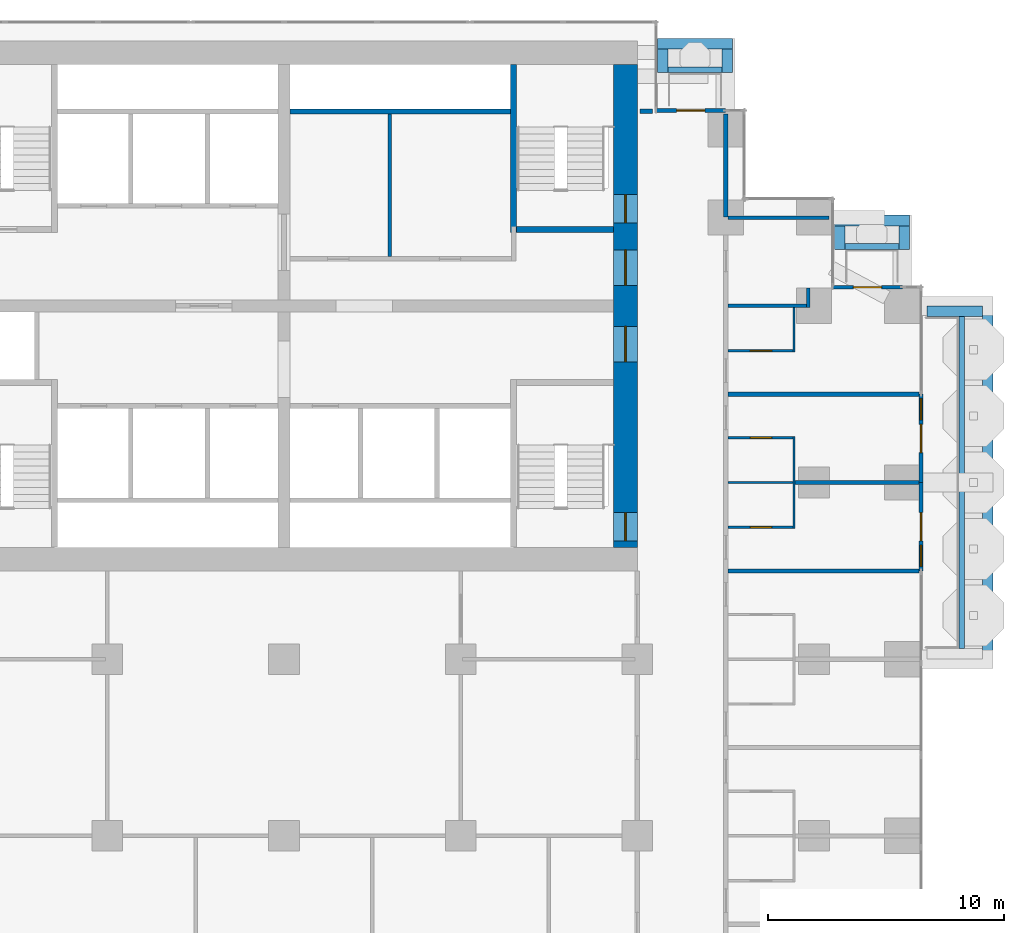
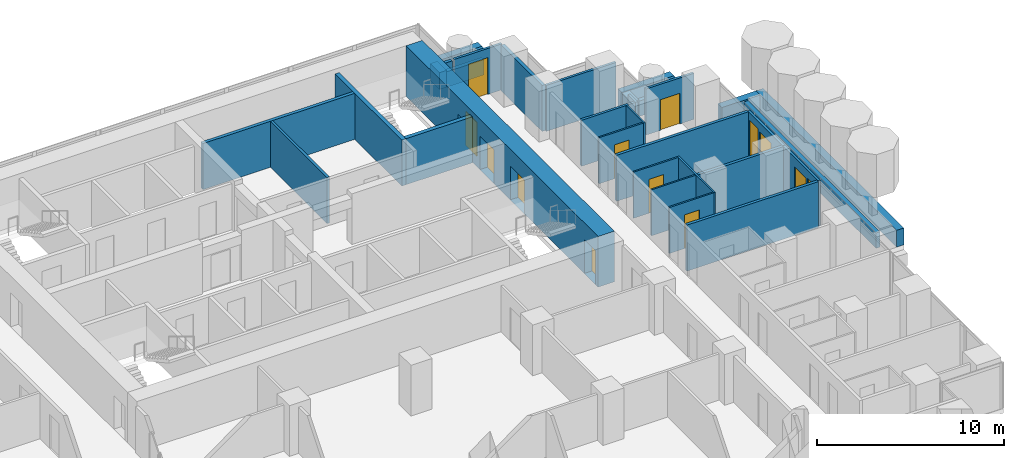
# One storey, part 16 of 20: 34 walls, 11 doors, 2 windows, 13 openings.
"""IFC4 building model written with IfcOpenShell, lengths in metres."""

from ifc_helpers import new_model, si_unit, direction, frame, frame_2d, origin, place, context, subcontext, project, spatial, rectangle, extrude, material, layer, layer_set, type_object, element, fill, save


model = new_model("IFC4")

# Units and contexts
model_context = context("Model", 3, precision=1e-05, world=origin(), true_north=direction((0.0, 1.0)))
body_context = subcontext(model_context, "Body", "Model", "MODEL_VIEW")
ifc_project = project(units=[si_unit("LENGTHUNIT", "METRE"), si_unit("AREAUNIT", "SQUARE_METRE"), si_unit("VOLUMEUNIT", "CUBIC_METRE"), si_unit("PLANEANGLEUNIT", "RADIAN"), si_unit("MASSUNIT", "GRAM", prefix="KILO")], contexts=[model_context])

# Site, building, storey
site_placement = place(None, origin())
site = spatial("IfcSite", under=ifc_project, at=site_placement, CompositionType="ELEMENT")
building_placement = place(site_placement, origin())
building = spatial("IfcBuilding", under=site, at=building_placement, Name="Pilkhan Gate Tower", CompositionType="ELEMENT")
storey_placement = place(building_placement, frame((0.0, 0.0, 92.300048828125)))
storey = spatial("IfcBuildingStorey", under=building, at=storey_placement, Name="L22", CompositionType="ELEMENT", Elevation=92.300048828125)

# Walls
ifc_material_1 = material(Name="Dense blockwork", Category="masonry")
ifc_layer_1 = layer(ifc_material_1, 0.175048828125)
ifc_layer_set_1 = layer_set([ifc_layer_1], Name="Acoustic party wall PW175")
wall_type_1 = type_object("IfcWallType", Name="Acoustic party wall PW175", PredefinedType="PARTITIONING", material=ifc_layer_set_1)
wall_1_placement = place(storey_placement, frame((93.85009765625, 71.25, 0.0), z_axis=(0.0, 0.0, 1.0), x_axis=(1.0, 0.0, 0.0)))
element("IfcWall", 1, at=wall_1_placement, inside=storey, type_object=wall_type_1, Name="Partition L22", PredefinedType="PARTITIONING", context=body_context, shape_type="SweptSolid", body=[
    extrude(rectangle(XDim=8.10986328125, YDim=0.175048828125, at=frame_2d((4.054931640625, 0.0))), origin(), (0.0, 0.0, 1.0), 3.0),
])
wall_2_placement = place(storey_placement, frame((96.699951171875, 75.0, 0.0), z_axis=(0.0, 0.0, 1.0), x_axis=(1.0, 0.0, 0.0)))
element("IfcWall", 2, at=wall_2_placement, inside=storey, type_object=wall_type_1, Name="Partition L22", PredefinedType="PARTITIONING", context=body_context, shape_type="SweptSolid", body=[
    extrude(rectangle(XDim=5.260009765625, YDim=0.175048828125, at=frame_2d((2.6298828125, 0.0))), origin(), (0.0, 0.0, 1.0), 3.0),
])
wall_3_placement = place(storey_placement, frame((93.85009765625, 78.75, 0.0), z_axis=(0.0, 0.0, 1.0), x_axis=(1.0, 0.0, 0.0)))
element("IfcWall", 3, at=wall_3_placement, inside=storey, type_object=wall_type_1, Name="Partition L22", PredefinedType="PARTITIONING", context=body_context, shape_type="SweptSolid", body=[
    extrude(rectangle(XDim=8.10986328125, YDim=0.175048828125, at=frame_2d((4.054931640625, 0.0))), origin(), (0.0, 0.0, 1.0), 3.0),
])
ifc_material_2 = material(Name="Concrete C40/50", Category="concrete")
ifc_layer_2 = layer(ifc_material_2, 0.25)
ifc_layer_set_2 = layer_set([ifc_layer_2], Name="Balcony planter BP250")
wall_type_2 = type_object("IfcWallType", Name="Balcony planter BP250", PredefinedType="USERDEFINED", material=ifc_layer_set_2)
wall_4_placement = place(storey_placement, frame((103.77490234375, 67.949951171875, 0.0), z_axis=(0.0, 0.0, 1.0), x_axis=(0.0, 1.0, 0.0)))
element("IfcWall", 4, at=wall_4_placement, inside=storey, type_object=wall_type_2, Name="Balcony planter L22 E", ObjectType="BALCONY PLANTER", PredefinedType="USERDEFINED", context=body_context, shape_type="SweptSolid", body=[
    extrude(rectangle(XDim=14.10009765625, YDim=0.25, at=frame_2d((7.050048828125, 0.0))), origin(), (0.0, 0.0, 1.0), 1.0),
])
wall_5_placement = place(storey_placement, frame((91.300048828125, 92.52490234375, 0.0), z_axis=(0.0, 0.0, 1.0), x_axis=(1.0, 0.0, 0.0)))
element("IfcWall", 5, at=wall_5_placement, inside=storey, type_object=wall_type_2, Name="Balcony planter L22 N", ObjectType="BALCONY PLANTER", PredefinedType="USERDEFINED", context=body_context, shape_type="SweptSolid", body=[
    extrude(rectangle(XDim=2.300048828125, YDim=0.25, at=frame_2d((1.14990234375, 0.0))), origin(), (0.0, 0.0, 1.0), 1.0),
])
wall_6_placement = place(storey_placement, frame((98.820068359375, 85.02490234375, 0.0), z_axis=(0.0, 0.0, 1.0), x_axis=(1.0, 0.0, 0.0)))
element("IfcWall", 6, at=wall_6_placement, inside=storey, type_object=wall_type_2, Name="Balcony planter L22 N", ObjectType="BALCONY PLANTER", PredefinedType="USERDEFINED", context=body_context, shape_type="SweptSolid", body=[
    extrude(rectangle(XDim=2.280029296875, YDim=0.25, at=frame_2d((1.14013671875, 0.0))), origin(), (0.0, 0.0, 1.0), 1.0),
])
ifc_material_3 = material(Name="Board-marked Concrete C40/50", Category="concrete")
ifc_layer_3 = layer(ifc_material_3, 0.449951171875)
ifc_layer_set_3 = layer_set([ifc_layer_3], Name="Balcony planter lip BL450")
wall_type_3 = type_object("IfcWallType", Name="Balcony planter lip BL450", PredefinedType="USERDEFINED", material=ifc_layer_set_3)
wall_7_placement = place(storey_placement, frame((104.875, 67.5, 0.0), z_axis=(0.0, 0.0, 1.0), x_axis=(0.0, 1.0, 0.0)))
element("IfcWall", 7, at=wall_7_placement, inside=storey, type_object=wall_type_3, Name="Balcony planter L22 E", ObjectType="BALCONY PLANTER", PredefinedType="USERDEFINED", context=body_context, shape_type="SweptSolid", body=[
    extrude(rectangle(XDim=15.0, YDim=0.449951171875, at=frame_2d((7.5, 0.0))), origin(), (0.0, 0.0, 1.0), 1.099853515625),
])
wall_8_placement = place(storey_placement, frame((102.300048828125, 82.27490234375, 0.0), z_axis=(0.0, 0.0, 1.0), x_axis=(1.0, 0.0, 0.0)))
element("IfcWall", 8, at=wall_8_placement, inside=storey, type_object=wall_type_3, Name="Balcony planter L22 E", ObjectType="BALCONY PLANTER", PredefinedType="USERDEFINED", context=body_context, shape_type="SweptSolid", body=[
    extrude(rectangle(XDim=2.349853515625, YDim=0.449951171875, at=frame_2d((1.1748046875, 0.0))), origin(), (0.0, 0.0, 1.0), 1.099853515625),
])
wall_9_placement = place(storey_placement, frame((90.85009765625, 93.625, 0.0), z_axis=(0.0, 0.0, 1.0), x_axis=(1.0, 0.0, 0.0)))
element("IfcWall", 9, at=wall_9_placement, inside=storey, type_object=wall_type_3, Name="Balcony planter L22 N", ObjectType="BALCONY PLANTER", PredefinedType="USERDEFINED", context=body_context, shape_type="SweptSolid", body=[
    extrude(rectangle(XDim=3.199951171875, YDim=0.449951171875, at=frame_2d((1.60009765625, 0.0))), origin(), (0.0, 0.0, 1.0), 1.099853515625),
])
for number, where, z_axis, x_axis, name in (
    (10, (91.074951171875, 92.39990234375, 0.0), (0.0, 0.0, 1.0), (0.0, 1.0, 0.0), "Balcony planter L22 N"),
    (11, (93.824951171875, 92.39990234375, 0.0), (0.0, 0.0, 1.0), (0.0, 1.0, 0.0), "Balcony planter L22 N"),
):
    element("IfcWall", number, at=place(storey_placement, frame(where, z_axis=z_axis, x_axis=x_axis)), inside=storey, type_object=wall_type_3, Name=name, ObjectType="BALCONY PLANTER", PredefinedType="USERDEFINED", context=body_context, shape_type="SweptSolid", body=[
        extrude(rectangle(XDim=1.0, YDim=0.449951171875, at=frame_2d((0.5, 0.0))), origin(), (0.0, 0.0, 1.0), 1.099853515625),
    ])
wall_10_placement = place(storey_placement, frame((98.3701171875, 86.125, 0.0), z_axis=(0.0, 0.0, 1.0), x_axis=(1.0, 0.0, 0.0)))
element("IfcWall", 12, at=wall_10_placement, inside=storey, type_object=wall_type_3, Name="Balcony planter L22 N", ObjectType="BALCONY PLANTER", PredefinedType="USERDEFINED", context=body_context, shape_type="SweptSolid", body=[
    extrude(rectangle(XDim=3.179931640625, YDim=0.449951171875, at=frame_2d((1.58984375, 0.0))), origin(), (0.0, 0.0, 1.0), 1.099853515625),
])
for number, where, z_axis, x_axis, name in (
    (13, (98.594970703125, 84.89990234375, 0.0), (0.0, 0.0, 1.0), (0.0, 1.0, 0.0), "Balcony planter L22 N"),
    (14, (101.324951171875, 84.89990234375, 0.0), (0.0, 0.0, 1.0), (0.0, 1.0, 0.0), "Balcony planter L22 N"),
):
    element("IfcWall", number, at=place(storey_placement, frame(where, z_axis=z_axis, x_axis=x_axis)), inside=storey, type_object=wall_type_3, Name=name, ObjectType="BALCONY PLANTER", PredefinedType="USERDEFINED", context=body_context, shape_type="SweptSolid", body=[
        extrude(rectangle(XDim=1.0, YDim=0.449951171875, at=frame_2d((0.5, 0.0))), origin(), (0.0, 0.0, 1.0), 1.099853515625),
    ])

# Wall, openings, doors
ifc_material_4 = material(Name="Concrete C70/85", Category="concrete")
ifc_layer_4 = layer(ifc_material_4, 1.0)
ifc_layer_set_4 = layer_set([ifc_layer_4], Name="Core wall CW1000 C70/85")
wall_type_4 = type_object("IfcWallType", Name="Core wall CW1000 C70/85", PredefinedType="SHEAR", material=ifc_layer_set_4)
wall_11_placement = place(storey_placement, frame((89.5, 72.25, 0.0), z_axis=(0.0, 0.0, 1.0), x_axis=(0.0, 1.0, 0.0)))
wall_11 = element("IfcWall", 15, at=wall_11_placement, inside=storey, type_object=wall_type_4, Name="Core wall E L22", PredefinedType="SHEAR", context=body_context, shape_type="SweptSolid", body=[
    extrude(rectangle(XDim=20.5, YDim=1.0, at=frame_2d((10.25, 0.0))), origin(), (0.0, 0.0, 1.0), 3.300048828125),
])
opening_1_placement = place(wall_11_placement, frame((0.27490234375, 0.0, 0.0)))
opening_1 = element("IfcOpeningElement", 16, at=opening_1_placement, cuts=wall_11, Name="Opening L22-03", PredefinedType="OPENING", context=body_context, shape_type="SweptSolid", body=[
    extrude(rectangle(XDim=1.199951171875, YDim=2.199951171875, at=frame_2d((0.60009765625, 1.10009765625))), frame((0.0, 0.510009765625, 0.0), z_axis=(0.0, -1.0, 0.0), x_axis=(1.0, 0.0, 0.0)), (0.0, 0.0, 1.0), 1.02001953125),
])
opening_2_placement = place(wall_11_placement, frame((13.77490234375, 0.0, 0.0)))
opening_2 = element("IfcOpeningElement", 17, at=opening_2_placement, cuts=wall_11, Name="Opening L22-05", PredefinedType="OPENING", context=body_context, shape_type="SweptSolid", body=[
    extrude(rectangle(XDim=1.199951171875, YDim=2.199951171875, at=frame_2d((0.60009765625, 1.10009765625))), frame((0.0, 0.510009765625, 0.0), z_axis=(0.0, -1.0, 0.0), x_axis=(1.0, 0.0, 0.0)), (0.0, 0.0, 1.0), 1.02001953125),
])
opening_3_placement = place(wall_11_placement, frame((7.875, 0.0, 0.0)))
opening_3 = element("IfcOpeningElement", 18, at=opening_3_placement, cuts=wall_11, Name="Opening L22-52", PredefinedType="OPENING", context=body_context, shape_type="SweptSolid", body=[
    extrude(rectangle(XDim=1.5, YDim=2.199951171875, at=frame_2d((0.75, 1.10009765625))), frame((0.0, 0.510009765625, 0.0), z_axis=(0.0, -1.0, 0.0), x_axis=(1.0, 0.0, 0.0)), (0.0, 0.0, 1.0), 1.02001953125),
])
opening_4_placement = place(wall_11_placement, frame((11.125, 0.0, 0.0)))
opening_4 = element("IfcOpeningElement", 19, at=opening_4_placement, cuts=wall_11, Name="Opening L22-54", PredefinedType="OPENING", context=body_context, shape_type="SweptSolid", body=[
    extrude(rectangle(XDim=1.5, YDim=2.199951171875, at=frame_2d((0.75, 1.10009765625))), frame((0.0, 0.510009765625, 0.0), z_axis=(0.0, -1.0, 0.0), x_axis=(1.0, 0.0, 0.0)), (0.0, 0.0, 1.0), 1.02001953125),
])
ifc_material_5 = material(Name="Steel framed glazed door, 60 minute fire resisting", Category="steel")
door_type_1 = type_object("IfcDoorType", Name="Lobby door D09 1500x2200", OperationType="DOUBLE_DOOR_SINGLE_SWING", PredefinedType="DOOR", material=ifc_material_5)
door_1_placement = place(opening_3_placement, origin())
door_1 = element("IfcDoor", 20, at=door_1_placement, inside=storey, type_object=door_type_1, Name="Core door", OperationType="DOUBLE_DOOR_SINGLE_SWING", OverallHeight=2.199951171875, OverallWidth=1.5, PredefinedType="DOOR", context=body_context, shape_type="SweptSolid", body=[
    extrude(rectangle(XDim=1.5, YDim=2.199951171875, at=frame_2d((0.75, 1.10009765625))), frame((0.0, 0.02490234375, 0.0), z_axis=(0.0, -1.0, 0.0), x_axis=(1.0, 0.0, 0.0)), (0.0, 0.0, 1.0), 0.050048828125),
])
fill(opening_3, door_1)
door_2_placement = place(opening_4_placement, origin())
door_2 = element("IfcDoor", 21, at=door_2_placement, inside=storey, type_object=door_type_1, Name="Core door", OperationType="DOUBLE_DOOR_SINGLE_SWING", OverallHeight=2.199951171875, OverallWidth=1.5, PredefinedType="DOOR", context=body_context, shape_type="SweptSolid", body=[
    extrude(rectangle(XDim=1.5, YDim=2.199951171875, at=frame_2d((0.75, 1.10009765625))), frame((0.0, 0.02490234375, 0.0), z_axis=(0.0, -1.0, 0.0), x_axis=(1.0, 0.0, 0.0)), (0.0, 0.0, 1.0), 0.050048828125),
])
fill(opening_4, door_2)
ifc_material_6 = material(Name="Steel door, 120 minute fire resisting, panic bar", Category="steel")
door_type_2 = type_object("IfcDoorType", Name="Stair door D11 1200x2200", OperationType="SINGLE_SWING_LEFT", PredefinedType="DOOR", material=ifc_material_6)
door_3_placement = place(opening_1_placement, origin())
door_3 = element("IfcDoor", 22, at=door_3_placement, inside=storey, type_object=door_type_2, Name="Stair ST1 door", OperationType="SINGLE_SWING_LEFT", OverallHeight=2.199951171875, OverallWidth=1.199951171875, PredefinedType="DOOR", context=body_context, shape_type="SweptSolid", body=[
    extrude(rectangle(XDim=1.199951171875, YDim=2.199951171875, at=frame_2d((0.60009765625, 1.10009765625))), frame((0.0, 0.02490234375, 0.0), z_axis=(0.0, -1.0, 0.0), x_axis=(1.0, 0.0, 0.0)), (0.0, 0.0, 1.0), 0.050048828125),
])
fill(opening_1, door_3)
door_4_placement = place(opening_2_placement, origin())
door_4 = element("IfcDoor", 23, at=door_4_placement, inside=storey, type_object=door_type_2, Name="Stair ST4 door", OperationType="SINGLE_SWING_LEFT", OverallHeight=2.199951171875, OverallWidth=1.199951171875, PredefinedType="DOOR", context=body_context, shape_type="SweptSolid", body=[
    extrude(rectangle(XDim=1.199951171875, YDim=2.199951171875, at=frame_2d((0.60009765625, 1.10009765625))), frame((0.0, 0.02490234375, 0.0), z_axis=(0.0, -1.0, 0.0), x_axis=(1.0, 0.0, 0.0)), (0.0, 0.0, 1.0), 0.050048828125),
])
fill(opening_2, door_4)

# Walls
ifc_layer_5 = layer(ifc_material_1, 0.199951171875)
ifc_layer_set_5 = layer_set([ifc_layer_5], Name="Corridor wall FW200")
wall_type_5 = type_object("IfcWallType", Name="Corridor wall FW200", PredefinedType="PARTITIONING", material=ifc_layer_set_5)
wall_12_placement = place(storey_placement, frame((90.1201171875, 90.764892578125, 0.0), z_axis=(0.0, 0.0, 1.0), x_axis=(1.0, 0.0, 0.0)))
element("IfcWall", 24, at=wall_12_placement, inside=storey, type_object=wall_type_5, Name="Partition L22", PredefinedType="PARTITIONING", context=body_context, shape_type="SweptSolid", body=[
    extrude(rectangle(XDim=0.52490234375, YDim=0.199951171875, at=frame_2d((0.262451171875, 0.0))), origin(), (0.0, 0.0, 1.0), 3.0),
])
wall_13_placement = place(storey_placement, frame((93.75, 86.280029296875, 0.0), z_axis=(0.0, 0.0, 1.0), x_axis=(0.0, 1.0, 0.0)))
element("IfcWall", 25, at=wall_13_placement, inside=storey, type_object=wall_type_5, Name="Partition L22", PredefinedType="PARTITIONING", context=body_context, shape_type="SweptSolid", body=[
    extrude(rectangle(XDim=4.364990234375, YDim=0.199951171875, at=frame_2d((2.1826171875, 0.0))), origin(), (0.0, 0.0, 1.0), 3.0),
])

# Wall, openings, door, window
ifc_material_7 = material(Name="Pale anodised aluminium, clear laminated glazing", Category="aluminium")
ifc_layer_6 = layer(ifc_material_7, 0.14990234375)
ifc_layer_set_6 = layer_set([ifc_layer_6], Name="Facade infill wall IW150")
wall_type_6 = type_object("IfcWallType", Name="Facade infill wall IW150", PredefinedType="SOLIDWALL", material=ifc_layer_set_6)
wall_14_placement = place(storey_placement, frame((102.044921875, 71.25, 0.0), z_axis=(0.0, 0.0, 1.0), x_axis=(0.0, 1.0, 0.0)))
wall_14 = element("IfcWall", 26, at=wall_14_placement, inside=storey, type_object=wall_type_6, Name="Infill wall L22 E", PredefinedType="SOLIDWALL", context=body_context, shape_type="SweptSolid", body=[
    extrude(rectangle(XDim=3.75, YDim=0.14990234375, at=frame_2d((1.875, 0.0))), origin(), (0.0, 0.0, 1.0), 3.0),
])
opening_5_placement = place(wall_14_placement, frame((0.1875, 0.0, 0.10009765625)))
opening_5 = element("IfcOpeningElement", 27, at=opening_5_placement, cuts=wall_14, Name="Opening W1", PredefinedType="OPENING", context=body_context, shape_type="SweptSolid", body=[
    extrude(rectangle(XDim=0.89990234375, YDim=2.39990234375, at=frame_2d((0.449951171875, 1.199951171875))), frame((0.0, 0.0849609375, 0.0), z_axis=(0.0, -1.0, 0.0), x_axis=(1.0, 0.0, 0.0)), (0.0, 0.0, 1.0), 0.169921875),
])
opening_6_placement = place(wall_14_placement, frame((1.27490234375, 0.0, 0.0)))
opening_6 = element("IfcOpeningElement", 28, at=opening_6_placement, cuts=wall_14, Name="Opening D1", PredefinedType="OPENING", context=body_context, shape_type="SweptSolid", body=[
    extrude(rectangle(XDim=1.199951171875, YDim=2.39990234375, at=frame_2d((0.60009765625, 1.199951171875))), frame((0.0, 0.0849609375, 0.0), z_axis=(0.0, -1.0, 0.0), x_axis=(1.0, 0.0, 0.0)), (0.0, 0.0, 1.0), 0.169921875),
])
ifc_material_8 = material(Name="Pale anodised aluminium, clear glazing", Category="aluminium")
door_type_3 = type_object("IfcDoorType", Name="Balcony door D1 1200x2400", OperationType="SINGLE_SWING_LEFT", PredefinedType="DOOR", material=ifc_material_8)
door_5_placement = place(opening_6_placement, origin())
door_5 = element("IfcDoor", 29, at=door_5_placement, inside=storey, type_object=door_type_3, Name="Balcony door L22", OperationType="SINGLE_SWING_LEFT", OverallHeight=2.39990234375, OverallWidth=1.199951171875, PredefinedType="DOOR", context=body_context, shape_type="SweptSolid", body=[
    extrude(rectangle(XDim=1.199951171875, YDim=2.39990234375, at=frame_2d((0.60009765625, 1.199951171875))), frame((0.0, 0.02490234375, 0.0), z_axis=(0.0, -1.0, 0.0), x_axis=(1.0, 0.0, 0.0)), (0.0, 0.0, 1.0), 0.050048828125),
])
fill(opening_6, door_5)
ifc_material_9 = material(Name="Pale anodised aluminium, clear double glazing", Category="aluminium")
window_type = type_object("IfcWindowType", Name="Window W1 900x2400", PartitioningType="SINGLE_PANEL", PredefinedType="WINDOW", material=ifc_material_9)
window_1_placement = place(opening_5_placement, origin())
window_1 = element("IfcWindow", 30, at=window_1_placement, inside=storey, type_object=window_type, Name="Window L22", OverallHeight=2.39990234375, OverallWidth=0.89990234375, PartitioningType="SINGLE_PANEL", PredefinedType="WINDOW", context=body_context, shape_type="SweptSolid", body=[
    extrude(rectangle(XDim=0.89990234375, YDim=2.39990234375, at=frame_2d((0.449951171875, 1.199951171875))), frame((0.0, 0.030029296875, 0.0), z_axis=(0.0, -1.0, 0.0), x_axis=(1.0, 0.0, 0.0)), (0.0, 0.0, 1.0), 0.06005859375),
])
fill(opening_5, window_1)

wall_15_placement = place(storey_placement, frame((102.044921875, 75.0, 0.0), z_axis=(0.0, 0.0, 1.0), x_axis=(0.0, 1.0, 0.0)))
wall_15 = element("IfcWall", 31, at=wall_15_placement, inside=storey, type_object=wall_type_6, Name="Infill wall L22 E", PredefinedType="SOLIDWALL", context=body_context, shape_type="SweptSolid", body=[
    extrude(rectangle(XDim=3.75, YDim=0.14990234375, at=frame_2d((1.875, 0.0))), origin(), (0.0, 0.0, 1.0), 3.0),
])
opening_7_placement = place(wall_15_placement, frame((1.27490234375, 0.0, 0.0)))
opening_7 = element("IfcOpeningElement", 32, at=opening_7_placement, cuts=wall_15, Name="Opening D1", PredefinedType="OPENING", context=body_context, shape_type="SweptSolid", body=[
    extrude(rectangle(XDim=1.199951171875, YDim=2.39990234375, at=frame_2d((0.60009765625, 1.199951171875))), frame((0.0, 0.0849609375, 0.0), z_axis=(0.0, -1.0, 0.0), x_axis=(1.0, 0.0, 0.0)), (0.0, 0.0, 1.0), 0.169921875),
])
opening_8_placement = place(wall_15_placement, frame((2.66259765625, 0.0, 0.10009765625)))
opening_8 = element("IfcOpeningElement", 33, at=opening_8_placement, cuts=wall_15, Name="Opening W1", PredefinedType="OPENING", context=body_context, shape_type="SweptSolid", body=[
    extrude(rectangle(XDim=0.89990234375, YDim=2.39990234375, at=frame_2d((0.449951171875, 1.199951171875))), frame((0.0, 0.0849609375, 0.0), z_axis=(0.0, -1.0, 0.0), x_axis=(1.0, 0.0, 0.0)), (0.0, 0.0, 1.0), 0.169921875),
])
door_6_placement = place(opening_7_placement, origin())
door_6 = element("IfcDoor", 34, at=door_6_placement, inside=storey, type_object=door_type_3, Name="Balcony door L22", OperationType="SINGLE_SWING_LEFT", OverallHeight=2.39990234375, OverallWidth=1.199951171875, PredefinedType="DOOR", context=body_context, shape_type="SweptSolid", body=[
    extrude(rectangle(XDim=1.199951171875, YDim=2.39990234375, at=frame_2d((0.60009765625, 1.199951171875))), frame((0.0, 0.02490234375, 0.0), z_axis=(0.0, -1.0, 0.0), x_axis=(1.0, 0.0, 0.0)), (0.0, 0.0, 1.0), 0.050048828125),
])
fill(opening_7, door_6)
window_2_placement = place(opening_8_placement, origin())
window_2 = element("IfcWindow", 35, at=window_2_placement, inside=storey, type_object=window_type, Name="Window L22", OverallHeight=2.39990234375, OverallWidth=0.89990234375, PartitioningType="SINGLE_PANEL", PredefinedType="WINDOW", context=body_context, shape_type="SweptSolid", body=[
    extrude(rectangle(XDim=0.89990234375, YDim=2.39990234375, at=frame_2d((0.449951171875, 1.199951171875))), frame((0.0, 0.030029296875, 0.0), z_axis=(0.0, -1.0, 0.0), x_axis=(1.0, 0.0, 0.0)), (0.0, 0.0, 1.0), 0.06005859375),
])
fill(opening_8, window_2)

# Wall, opening, door
wall_16_placement = place(storey_placement, frame((98.294921875, 83.294921875, 0.0), z_axis=(0.0, 0.0, 1.0), x_axis=(1.0, 0.0, 0.0)))
wall_16 = element("IfcWall", 36, at=wall_16_placement, inside=storey, type_object=wall_type_6, Name="Infill wall L22 N", PredefinedType="SOLIDWALL", context=body_context, shape_type="SweptSolid", body=[
    extrude(rectangle(XDim=2.955078125, YDim=0.14990234375, at=frame_2d((1.4775390625, 0.0))), origin(), (0.0, 0.0, 1.0), 3.0),
])
opening_9_placement = place(wall_16_placement, frame((0.87744140625, 0.0, 0.0)))
opening_9 = element("IfcOpeningElement", 37, at=opening_9_placement, cuts=wall_16, Name="Opening D1L", PredefinedType="OPENING", context=body_context, shape_type="SweptSolid", body=[
    extrude(rectangle(XDim=1.199951171875, YDim=2.0, at=frame_2d((0.60009765625, 1.0))), frame((0.0, 0.0849609375, 0.0), z_axis=(0.0, -1.0, 0.0), x_axis=(1.0, 0.0, 0.0)), (0.0, 0.0, 1.0), 0.169921875),
])
door_type_4 = type_object("IfcDoorType", Name="Balcony door D1L 1200x2000", OperationType="SINGLE_SWING_LEFT", PredefinedType="DOOR", material=ifc_material_8)
door_7_placement = place(opening_9_placement, origin())
door_7 = element("IfcDoor", 38, at=door_7_placement, inside=storey, type_object=door_type_4, Name="Balcony door L22", OperationType="SINGLE_SWING_LEFT", OverallHeight=2.0, OverallWidth=1.199951171875, PredefinedType="DOOR", context=body_context, shape_type="SweptSolid", body=[
    extrude(rectangle(XDim=1.199951171875, YDim=2.0, at=frame_2d((0.60009765625, 1.0))), frame((0.0, 0.02490234375, 0.0), z_axis=(0.0, -1.0, 0.0), x_axis=(1.0, 0.0, 0.0)), (0.0, 0.0, 1.0), 0.050048828125),
])
fill(opening_9, door_7)

wall_17_placement = place(storey_placement, frame((90.794921875, 90.794921875, 0.0), z_axis=(0.0, 0.0, 1.0), x_axis=(1.0, 0.0, 0.0)))
wall_17 = element("IfcWall", 39, at=wall_17_placement, inside=storey, type_object=wall_type_6, Name="Infill wall L22 N", PredefinedType="SOLIDWALL", context=body_context, shape_type="SweptSolid", body=[
    extrude(rectangle(XDim=2.955078125, YDim=0.14990234375, at=frame_2d((1.4775390625, 0.0))), origin(), (0.0, 0.0, 1.0), 3.0),
])
opening_10_placement = place(wall_17_placement, frame((0.87744140625, 0.0, 0.0)))
opening_10 = element("IfcOpeningElement", 40, at=opening_10_placement, cuts=wall_17, Name="Opening D1", PredefinedType="OPENING", context=body_context, shape_type="SweptSolid", body=[
    extrude(rectangle(XDim=1.199951171875, YDim=2.39990234375, at=frame_2d((0.60009765625, 1.199951171875))), frame((0.0, 0.0849609375, 0.0), z_axis=(0.0, -1.0, 0.0), x_axis=(1.0, 0.0, 0.0)), (0.0, 0.0, 1.0), 0.169921875),
])
door_8_placement = place(opening_10_placement, origin())
door_8 = element("IfcDoor", 41, at=door_8_placement, inside=storey, type_object=door_type_3, Name="Balcony door L22", OperationType="SINGLE_SWING_LEFT", OverallHeight=2.39990234375, OverallWidth=1.199951171875, PredefinedType="DOOR", context=body_context, shape_type="SweptSolid", body=[
    extrude(rectangle(XDim=1.199951171875, YDim=2.39990234375, at=frame_2d((0.60009765625, 1.199951171875))), frame((0.0, 0.02490234375, 0.0), z_axis=(0.0, -1.0, 0.0), x_axis=(1.0, 0.0, 0.0)), (0.0, 0.0, 1.0), 0.050048828125),
])
fill(opening_10, door_8)

# Walls
ifc_layer_7 = layer(ifc_material_1, 0.199951171875)
ifc_layer_set_7 = layer_set([ifc_layer_7], Name="Lobby wall LW200")
wall_type_7 = type_object("IfcWallType", Name="Lobby wall LW200", PredefinedType="PARTITIONING", material=ifc_layer_set_7)
wall_18_placement = place(storey_placement, frame((75.260009765625, 90.75, 0.0), z_axis=(0.0, 0.0, 1.0), x_axis=(1.0, 0.0, 0.0)))
element("IfcWall", 42, at=wall_18_placement, inside=storey, type_object=wall_type_7, Name="Partition L22", PredefinedType="PARTITIONING", context=body_context, shape_type="SweptSolid", body=[
    extrude(rectangle(XDim=9.364990234375, YDim=0.199951171875, at=frame_2d((4.6826171875, 0.0))), origin(), (0.0, 0.0, 1.0), 3.0),
])
ifc_material_10 = material(Name="Blockwork partition, plastered both sides", Category="masonry")
ifc_layer_8 = layer(ifc_material_10, 0.14990234375)
ifc_layer_set_8 = layer_set([ifc_layer_8], Name="Partition PW150")
wall_type_8 = type_object("IfcWallType", Name="Partition PW150", PredefinedType="PARTITIONING", material=ifc_layer_set_8)
wall_19_placement = place(storey_placement, frame((93.85009765625, 82.5, 0.0), z_axis=(0.0, 0.0, 1.0), x_axis=(1.0, 0.0, 0.0)))
element("IfcWall", 43, at=wall_19_placement, inside=storey, type_object=wall_type_8, Name="Partition L22", PredefinedType="PARTITIONING", context=body_context, shape_type="SweptSolid", body=[
    extrude(rectangle(XDim=3.33984375, YDim=0.14990234375, at=frame_2d((1.669921875, 0.0))), origin(), (0.0, 0.0, 1.0), 3.0),
])
wall_20_placement = place(storey_placement, frame((93.85009765625, 86.25, 0.0), z_axis=(0.0, 0.0, 1.0), x_axis=(1.0, 0.0, 0.0)))
element("IfcWall", 44, at=wall_20_placement, inside=storey, type_object=wall_type_8, Name="Partition L22", PredefinedType="PARTITIONING", context=body_context, shape_type="SweptSolid", body=[
    extrude(rectangle(XDim=4.294921875, YDim=0.14990234375, at=frame_2d((2.1474609375, 0.0))), origin(), (0.0, 0.0, 1.0), 3.0),
])
wall_21_placement = place(storey_placement, frame((79.5, 84.60009765625, 0.0), z_axis=(0.0, 0.0, 1.0), x_axis=(0.0, 1.0, 0.0)))
element("IfcWall", 45, at=wall_21_placement, inside=storey, type_object=wall_type_8, Name="Partition L22", PredefinedType="PARTITIONING", context=body_context, shape_type="SweptSolid", body=[
    extrude(rectangle(XDim=6.0498046875, YDim=0.14990234375, at=frame_2d((3.02490234375, 0.0))), origin(), (0.0, 0.0, 1.0), 3.0),
])
wall_22_placement = place(storey_placement, frame((97.264892578125, 82.425048828125, 0.0), z_axis=(0.0, 0.0, 1.0), x_axis=(0.0, 1.0, 0.0)))
element("IfcWall", 46, at=wall_22_placement, inside=storey, type_object=wall_type_8, Name="Partition L22", PredefinedType="PARTITIONING", context=body_context, shape_type="SweptSolid", body=[
    extrude(rectangle(XDim=0.83984375, YDim=0.14990234375, at=frame_2d((0.419921875, 0.0))), origin(), (0.0, 0.0, 1.0), 3.0),
])
ifc_material_11 = material(Name="Reinforced blockwork, 120 minute fire resisting", Category="masonry")
ifc_layer_9 = layer(ifc_material_11, 0.25)
ifc_layer_set_9 = layer_set([ifc_layer_9], Name="Stair enclosure wall SE250")
wall_type_9 = type_object("IfcWallType", Name="Stair enclosure wall SE250", PredefinedType="PARTITIONING", material=ifc_layer_set_9)
wall_23_placement = place(storey_placement, frame((84.875, 85.75, 0.0), z_axis=(0.0, 0.0, 1.0), x_axis=(1.0, 0.0, 0.0)))
element("IfcWall", 47, at=wall_23_placement, inside=storey, type_object=wall_type_9, Name="Partition L22", PredefinedType="PARTITIONING", context=body_context, shape_type="SweptSolid", body=[
    extrude(rectangle(XDim=4.114990234375, YDim=0.25, at=frame_2d((2.0576171875, 0.0))), origin(), (0.0, 0.0, 1.0), 3.0),
])
wall_24_placement = place(storey_placement, frame((84.75, 85.625, 0.0), z_axis=(0.0, 0.0, 1.0), x_axis=(0.0, 1.0, 0.0)))
element("IfcWall", 48, at=wall_24_placement, inside=storey, type_object=wall_type_9, Name="Partition L22", PredefinedType="PARTITIONING", context=body_context, shape_type="SweptSolid", body=[
    extrude(rectangle(XDim=7.114990234375, YDim=0.25, at=frame_2d((3.5576171875, 0.0))), origin(), (0.0, 0.0, 1.0), 3.0),
])

# Wall, opening, door
ifc_material_12 = material(Name="Moisture resistant board, tiled")
ifc_layer_10 = layer(ifc_material_12, 0.10009765625)
ifc_layer_set_10 = layer_set([ifc_layer_10], Name="Wet wall PW100")
wall_type_10 = type_object("IfcWallType", Name="Wet wall PW100", PredefinedType="PARTITIONING", material=ifc_layer_set_10)
wall_25_placement = place(storey_placement, frame((93.85009765625, 73.10009765625, 0.0), z_axis=(0.0, 0.0, 1.0), x_axis=(1.0, 0.0, 0.0)))
wall_25 = element("IfcWall", 49, at=wall_25_placement, inside=storey, type_object=wall_type_10, Name="Partition L22", PredefinedType="PARTITIONING", context=body_context, shape_type="SweptSolid", body=[
    extrude(rectangle(XDim=2.75, YDim=0.10009765625, at=frame_2d((1.375, 0.0))), origin(), (0.0, 0.0, 1.0), 3.0),
])
opening_11_placement = place(wall_25_placement, frame((0.949951171875, 0.0, 0.0)))
opening_11 = element("IfcOpeningElement", 50, at=opening_11_placement, cuts=wall_25, Name="Opening L22-47", PredefinedType="OPENING", context=body_context, shape_type="SweptSolid", body=[
    extrude(rectangle(XDim=0.89990234375, YDim=2.199951171875, at=frame_2d((0.449951171875, 1.10009765625))), frame((0.0, 0.06005859375, 0.0), z_axis=(0.0, -1.0, 0.0), x_axis=(1.0, 0.0, 0.0)), (0.0, 0.0, 1.0), 0.1201171875),
])
ifc_material_13 = material(Name="Timber flush door", Category="wood")
door_type_5 = type_object("IfcDoorType", Name="Bathroom door D02 900x2200", OperationType="SINGLE_SWING_RIGHT", PredefinedType="DOOR", material=ifc_material_13)
door_9_placement = place(opening_11_placement, origin())
door_9 = element("IfcDoor", 51, at=door_9_placement, inside=storey, type_object=door_type_5, Name="Bathroom door", OperationType="SINGLE_SWING_RIGHT", OverallHeight=2.199951171875, OverallWidth=0.89990234375, PredefinedType="DOOR", context=body_context, shape_type="SweptSolid", body=[
    extrude(rectangle(XDim=0.89990234375, YDim=2.199951171875, at=frame_2d((0.449951171875, 1.10009765625))), frame((0.0, 0.02490234375, 0.0), z_axis=(0.0, -1.0, 0.0), x_axis=(1.0, 0.0, 0.0)), (0.0, 0.0, 1.0), 0.050048828125),
])
fill(opening_11, door_9)

# Wall
wall_26_placement = place(storey_placement, frame((93.85009765625, 75.0, 0.0), z_axis=(0.0, 0.0, 1.0), x_axis=(1.0, 0.0, 0.0)))
element("IfcWall", 52, at=wall_26_placement, inside=storey, type_object=wall_type_10, Name="Partition L22", PredefinedType="PARTITIONING", context=body_context, shape_type="SweptSolid", body=[
    extrude(rectangle(XDim=2.75, YDim=0.10009765625, at=frame_2d((1.375, 0.0))), origin(), (0.0, 0.0, 1.0), 3.0),
])

# Wall, opening, door
wall_27_placement = place(storey_placement, frame((93.85009765625, 76.89990234375, 0.0), z_axis=(0.0, 0.0, 1.0), x_axis=(1.0, 0.0, 0.0)))
wall_27 = element("IfcWall", 53, at=wall_27_placement, inside=storey, type_object=wall_type_10, Name="Partition L22", PredefinedType="PARTITIONING", context=body_context, shape_type="SweptSolid", body=[
    extrude(rectangle(XDim=2.75, YDim=0.10009765625, at=frame_2d((1.375, 0.0))), origin(), (0.0, 0.0, 1.0), 3.0),
])
opening_12_placement = place(wall_27_placement, frame((0.949951171875, 0.0, 0.0)))
opening_12 = element("IfcOpeningElement", 54, at=opening_12_placement, cuts=wall_27, Name="Opening L22-49", PredefinedType="OPENING", context=body_context, shape_type="SweptSolid", body=[
    extrude(rectangle(XDim=0.89990234375, YDim=2.199951171875, at=frame_2d((0.449951171875, 1.10009765625))), frame((0.0, 0.06005859375, 0.0), z_axis=(0.0, -1.0, 0.0), x_axis=(1.0, 0.0, 0.0)), (0.0, 0.0, 1.0), 0.1201171875),
])
door_10_placement = place(opening_12_placement, origin())
door_10 = element("IfcDoor", 55, at=door_10_placement, inside=storey, type_object=door_type_5, Name="Bathroom door", OperationType="SINGLE_SWING_RIGHT", OverallHeight=2.199951171875, OverallWidth=0.89990234375, PredefinedType="DOOR", context=body_context, shape_type="SweptSolid", body=[
    extrude(rectangle(XDim=0.89990234375, YDim=2.199951171875, at=frame_2d((0.449951171875, 1.10009765625))), frame((0.0, 0.02490234375, 0.0), z_axis=(0.0, -1.0, 0.0), x_axis=(1.0, 0.0, 0.0)), (0.0, 0.0, 1.0), 0.050048828125),
])
fill(opening_12, door_10)

wall_28_placement = place(storey_placement, frame((93.85009765625, 80.60009765625, 0.0), z_axis=(0.0, 0.0, 1.0), x_axis=(1.0, 0.0, 0.0)))
wall_28 = element("IfcWall", 56, at=wall_28_placement, inside=storey, type_object=wall_type_10, Name="Partition L22", PredefinedType="PARTITIONING", context=body_context, shape_type="SweptSolid", body=[
    extrude(rectangle(XDim=2.75, YDim=0.10009765625, at=frame_2d((1.375, 0.0))), origin(), (0.0, 0.0, 1.0), 3.0),
])
opening_13_placement = place(wall_28_placement, frame((0.949951171875, 0.0, 0.0)))
opening_13 = element("IfcOpeningElement", 57, at=opening_13_placement, cuts=wall_28, Name="Opening L22-51", PredefinedType="OPENING", context=body_context, shape_type="SweptSolid", body=[
    extrude(rectangle(XDim=0.89990234375, YDim=2.199951171875, at=frame_2d((0.449951171875, 1.10009765625))), frame((0.0, 0.06005859375, 0.0), z_axis=(0.0, -1.0, 0.0), x_axis=(1.0, 0.0, 0.0)), (0.0, 0.0, 1.0), 0.1201171875),
])
door_11_placement = place(opening_13_placement, origin())
door_11 = element("IfcDoor", 58, at=door_11_placement, inside=storey, type_object=door_type_5, Name="Bathroom door", OperationType="SINGLE_SWING_RIGHT", OverallHeight=2.199951171875, OverallWidth=0.89990234375, PredefinedType="DOOR", context=body_context, shape_type="SweptSolid", body=[
    extrude(rectangle(XDim=0.89990234375, YDim=2.199951171875, at=frame_2d((0.449951171875, 1.10009765625))), frame((0.0, 0.02490234375, 0.0), z_axis=(0.0, -1.0, 0.0), x_axis=(1.0, 0.0, 0.0)), (0.0, 0.0, 1.0), 0.050048828125),
])
fill(opening_13, door_11)

# Walls
wall_29_placement = place(storey_placement, frame((96.64990234375, 73.050048828125, 0.0), z_axis=(0.0, 0.0, 1.0), x_axis=(0.0, 1.0, 0.0)))
element("IfcWall", 59, at=wall_29_placement, inside=storey, type_object=wall_type_10, Name="Partition L22", PredefinedType="PARTITIONING", context=body_context, shape_type="SweptSolid", body=[
    extrude(rectangle(XDim=3.89990234375, YDim=0.10009765625, at=frame_2d((1.949951171875, 0.0))), origin(), (0.0, 0.0, 1.0), 3.0),
])
wall_30_placement = place(storey_placement, frame((96.64990234375, 80.550048828125, 0.0), z_axis=(0.0, 0.0, 1.0), x_axis=(0.0, 1.0, 0.0)))
element("IfcWall", 60, at=wall_30_placement, inside=storey, type_object=wall_type_10, Name="Partition L22", PredefinedType="PARTITIONING", context=body_context, shape_type="SweptSolid", body=[
    extrude(rectangle(XDim=1.875, YDim=0.10009765625, at=frame_2d((0.9375, 0.0))), origin(), (0.0, 0.0, 1.0), 3.0),
])

save(model, "model.ifc")
